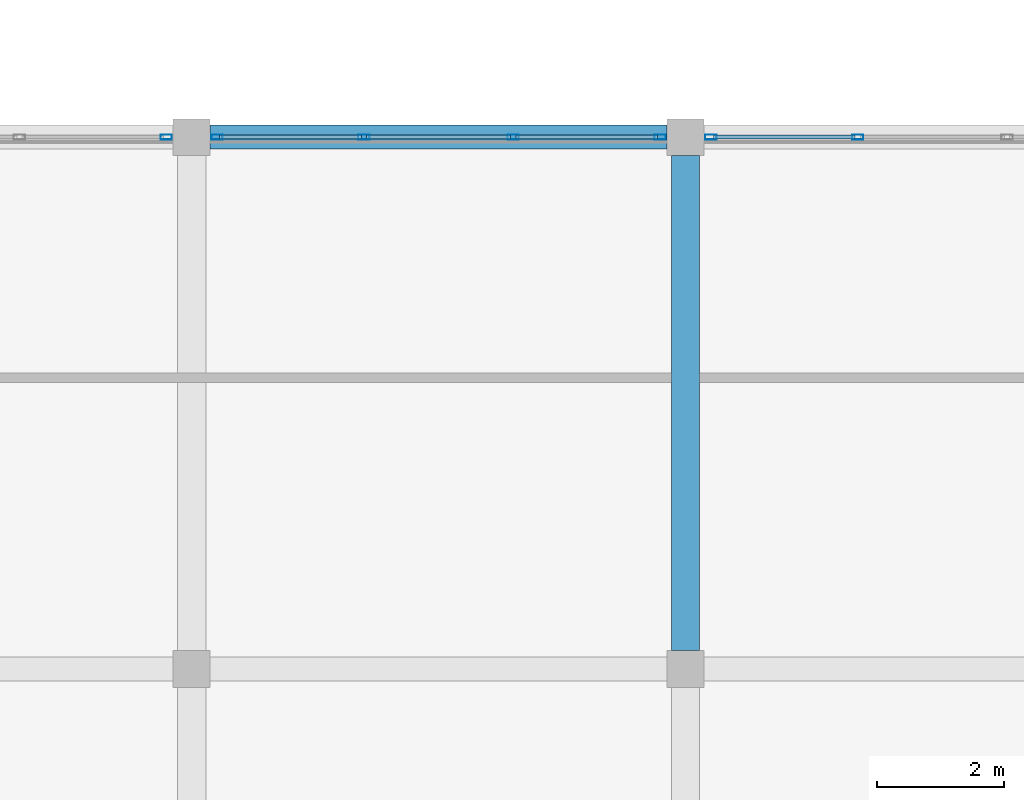
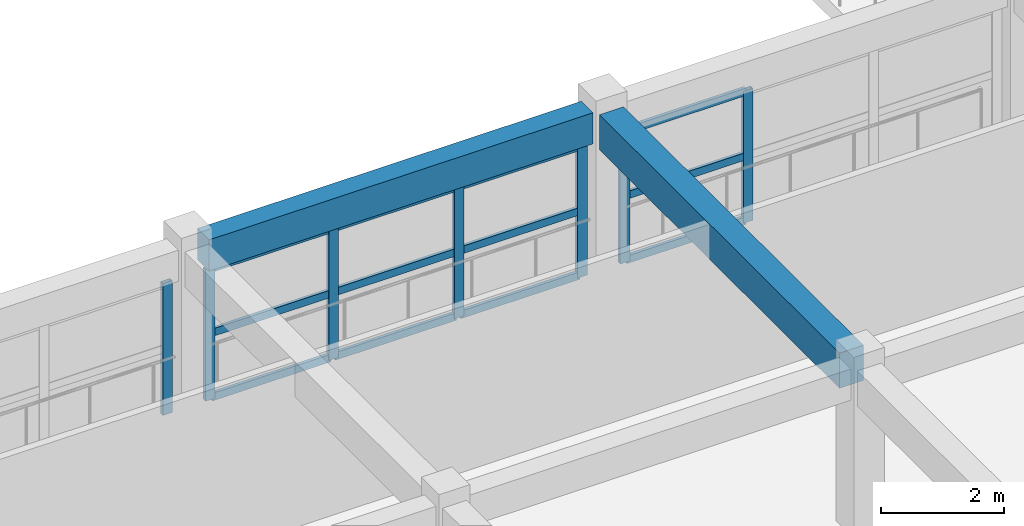
# One storey, part 61 of 101: 19 members, 2 beams, 3 elements without a shape of their own.
"""IFC4 building model written with IfcOpenShell, lengths in metres."""

from ifc_helpers import new_model, si_unit, direction, frame, origin, origin_2d, place, context, subcontext, project, spatial, rectangle, hollow_rectangle, extrude, material, layer, layer_set, material_profile, profile_set, type_object, element, aggregate, save


model = new_model("IFC4")

# Units and contexts
model_context = context("Model", 3, precision=1e-05, world=origin(), true_north=direction((0.0, 1.0)))
body_context = subcontext(model_context, "Body", "Model", "MODEL_VIEW")
ifc_project = project(units=[si_unit("LENGTHUNIT", "METRE"), si_unit("AREAUNIT", "SQUARE_METRE"), si_unit("VOLUMEUNIT", "CUBIC_METRE"), si_unit("PLANEANGLEUNIT", "RADIAN"), si_unit("MASSUNIT", "GRAM", prefix="KILO")], contexts=[model_context])

# Site, building, storey
site_placement = place(None, origin())
site = spatial("IfcSite", under=ifc_project, at=site_placement, CompositionType="ELEMENT")
building_placement = place(site_placement, origin())
building = spatial("IfcBuilding", under=site, at=building_placement, Name="Zizhar Promenade General Hospital", CompositionType="ELEMENT")
storey_placement = place(building_placement, frame((0.0, 0.0, 14.39990234375)))
storey = spatial("IfcBuildingStorey", under=building, at=storey_placement, Name="L03", CompositionType="ELEMENT", Elevation=14.39990234375)

# Beams
ifc_material_1 = material(Name="Concrete C35/45", Category="concrete")
ifc_material_profile_1 = material_profile(ifc_material_1, rectangle(XDim=0.3798828125, YDim=0.6201171875, at=origin_2d()))
ifc_profile_set_1 = profile_set([ifc_material_profile_1], Name="Concrete C35/45")
beam_type_1 = type_object("IfcBeamType", Name="BM-RC-380x620", PredefinedType="JOIST", material=ifc_profile_set_1)
beam_1_placement = place(storey_placement, frame((156.2900390625, 67.199951171875, 3.0), z_axis=(1.0, 0.0, 0.0), x_axis=(0.0, 1.0, 0.0)))
element("IfcBeam", 1, at=beam_1_placement, inside=storey, type_object=beam_type_1, Name="Grid Beam X L03 (20-8)", PredefinedType="JOIST", context=body_context, shape_type="SweptSolid", body=[
    extrude(rectangle(XDim=0.3798828125, YDim=0.6201171875, at=origin_2d()), origin(), (0.0, 0.0, 1.0), 7.219970703125),
])
ifc_material_2 = material(Name="Concrete C35/45", Category="concrete")
ifc_material_profile_2 = material_profile(ifc_material_2, rectangle(XDim=0.449951171875, YDim=0.699951171875, at=origin_2d()))
ifc_profile_set_2 = profile_set([ifc_material_profile_2], Name="Concrete C35/45")
beam_type_2 = type_object("IfcBeamType", Name="BM-RC-450x700", PredefinedType="BEAM", material=ifc_profile_set_2)
beam_2_placement = place(storey_placement, frame((163.800048828125, 59.090087890625, 2.960205078125), z_axis=(0.0, 1.0, 0.0), x_axis=(-1.0, 0.0, 0.0)))
element("IfcBeam", 2, at=beam_2_placement, inside=storey, type_object=beam_type_2, Name="Grid Beam Y L03 (21-7)", PredefinedType="BEAM", context=body_context, shape_type="SweptSolid", body=[
    extrude(rectangle(XDim=0.449951171875, YDim=0.699951171875, at=origin_2d()), origin(), (0.0, 0.0, 1.0), 7.81982421875),
])

# Curtain wall, member
ifc_material_3 = material(Name="Anodised aluminium 6063-T6 and low-E glass", Category="aluminium")
ifc_layer = layer(ifc_material_3, 0.159912109375)
ifc_layer_set = layer_set([ifc_layer], Name="Anodised aluminium 6063-T6 and low-E glass")
curtain_wall_type = type_object("IfcCurtainWallType", Name="CW-CLN-CRT", PredefinedType="NOTDEFINED", material=ifc_layer_set)
curtain_wall_1_placement = place(storey_placement, origin())
curtain_wall_1 = element("IfcCurtainWall", 3, at=curtain_wall_1_placement, inside=storey, type_object=curtain_wall_type, Name="East Light Court South Glazing L03-19", PredefinedType="NOTDEFINED")
ifc_material_4 = material(Name="Anodised aluminium 6063-T6", Category="aluminium")
ifc_material_profile_3 = material_profile(ifc_material_4, hollow_rectangle(XDim=0.080078125, YDim=0.179931640625, WallThickness=0.0048828125, at=origin_2d()))
ifc_profile_set_3 = profile_set([ifc_material_profile_3], Name="Anodised aluminium 6063-T6")
member_type_1 = type_object("IfcMemberType", Name="CWM-ALU-180x80", PredefinedType="MULLION", material=ifc_profile_set_3)
member_1_placement = place(storey_placement, frame((155.60009765625, 67.199951171875, 0.0), z_axis=(0.0, 0.0, 1.0), x_axis=(0.0, 1.0, 0.0)))
member_1 = element("IfcMember", 4, at=member_1_placement, type_object=member_type_1, Name="CW-10 mullion 4", PredefinedType="MULLION", context=body_context, shape_type="SweptSolid", body=[
    extrude(hollow_rectangle(XDim=0.080078125, YDim=0.179931640625, WallThickness=0.0048828125, at=origin_2d()), origin(), (0.0, 0.0, 1.0), 2.6201171875),
])
aggregate(curtain_wall_1, [member_1])

# Curtain wall, members
curtain_wall_2_placement = place(storey_placement, origin())
curtain_wall_2 = element("IfcCurtainWall", 5, at=curtain_wall_2_placement, inside=storey, type_object=curtain_wall_type, Name="East Light Court South Glazing L03-20", PredefinedType="NOTDEFINED")
member_2_placement = place(storey_placement, frame((156.39990234375, 67.199951171875, 0.0), z_axis=(0.0, 0.0, 1.0), x_axis=(0.0, 1.0, 0.0)))
member_2 = element("IfcMember", 6, at=member_2_placement, type_object=member_type_1, Name="CW-10 mullion 1", PredefinedType="MULLION", context=body_context, shape_type="SweptSolid", body=[
    extrude(hollow_rectangle(XDim=0.080078125, YDim=0.179931640625, WallThickness=0.0048828125, at=origin_2d()), origin(), (0.0, 0.0, 1.0), 2.6201171875),
])
member_3_placement = place(storey_placement, frame((158.719970703125, 67.199951171875, 0.0), z_axis=(0.0, 0.0, 1.0), x_axis=(0.0, 1.0, 0.0)))
member_3 = element("IfcMember", 7, at=member_3_placement, type_object=member_type_1, Name="CW-10 mullion 2", PredefinedType="MULLION", context=body_context, shape_type="SweptSolid", body=[
    extrude(hollow_rectangle(XDim=0.080078125, YDim=0.179931640625, WallThickness=0.0048828125, at=origin_2d()), origin(), (0.0, 0.0, 1.0), 2.6201171875),
])
member_4_placement = place(storey_placement, frame((161.080078125, 67.199951171875, 0.0), z_axis=(0.0, 0.0, 1.0), x_axis=(0.0, 1.0, 0.0)))
member_4 = element("IfcMember", 8, at=member_4_placement, type_object=member_type_1, Name="CW-10 mullion 3", PredefinedType="MULLION", context=body_context, shape_type="SweptSolid", body=[
    extrude(hollow_rectangle(XDim=0.080078125, YDim=0.179931640625, WallThickness=0.0048828125, at=origin_2d()), origin(), (0.0, 0.0, 1.0), 2.6201171875),
])
member_5_placement = place(storey_placement, frame((163.39990234375, 67.199951171875, 0.0), z_axis=(0.0, 0.0, 1.0), x_axis=(0.0, 1.0, 0.0)))
member_5 = element("IfcMember", 9, at=member_5_placement, type_object=member_type_1, Name="CW-10 mullion 4", PredefinedType="MULLION", context=body_context, shape_type="SweptSolid", body=[
    extrude(hollow_rectangle(XDim=0.080078125, YDim=0.179931640625, WallThickness=0.0048828125, at=origin_2d()), origin(), (0.0, 0.0, 1.0), 2.6201171875),
])

curtain_wall_3_placement = place(storey_placement, origin())
curtain_wall_3 = element("IfcCurtainWall", 10, at=curtain_wall_3_placement, inside=storey, type_object=curtain_wall_type, Name="East Light Court South Glazing L03-21", PredefinedType="NOTDEFINED")
member_6_placement = place(storey_placement, frame((164.199951171875, 67.199951171875, 0.0), z_axis=(0.0, 0.0, 1.0), x_axis=(0.0, 1.0, 0.0)))
member_6 = element("IfcMember", 11, at=member_6_placement, type_object=member_type_1, Name="CW-10 mullion 1", PredefinedType="MULLION", context=body_context, shape_type="SweptSolid", body=[
    extrude(hollow_rectangle(XDim=0.080078125, YDim=0.179931640625, WallThickness=0.0048828125, at=origin_2d()), origin(), (0.0, 0.0, 1.0), 2.6201171875),
])
member_7_placement = place(storey_placement, frame((166.52001953125, 67.199951171875, 0.0), z_axis=(0.0, 0.0, 1.0), x_axis=(0.0, 1.0, 0.0)))
member_7 = element("IfcMember", 12, at=member_7_placement, type_object=member_type_1, Name="CW-10 mullion 2", PredefinedType="MULLION", context=body_context, shape_type="SweptSolid", body=[
    extrude(hollow_rectangle(XDim=0.080078125, YDim=0.179931640625, WallThickness=0.0048828125, at=origin_2d()), origin(), (0.0, 0.0, 1.0), 2.6201171875),
])

# Member
ifc_material_5 = material(Name="Anodised aluminium 6063-T6", Category="aluminium")
ifc_material_profile_4 = material_profile(ifc_material_5, hollow_rectangle(XDim=0.06005859375, YDim=0.14990234375, WallThickness=0.00390625, at=origin_2d()))
ifc_profile_set_4 = profile_set([ifc_material_profile_4], Name="Anodised aluminium 6063-T6")
member_type_2 = type_object("IfcMemberType", Name="CWT-ALU-150x60", PredefinedType="USERDEFINED", material=ifc_profile_set_4)
member_8_placement = place(storey_placement, frame((156.43994140625, 67.199951171875, 0.030029296875), z_axis=(1.0, 0.0, 0.0), x_axis=(0.0, 1.0, 0.0)))
member_8 = element("IfcMember", 13, at=member_8_placement, type_object=member_type_2, Name="CW-10 transom 1.1", ObjectType="TRANSOM", PredefinedType="USERDEFINED", context=body_context, shape_type="SweptSolid", body=[
    extrude(hollow_rectangle(XDim=0.06005859375, YDim=0.14990234375, WallThickness=0.00390625, at=origin_2d()), origin(), (0.0, 0.0, 1.0), 2.239990234375),
])

member_9_placement = place(storey_placement, frame((156.43994140625, 67.199951171875, 1.31005859375), z_axis=(1.0, 0.0, 0.0), x_axis=(0.0, 1.0, 0.0)))
member_9 = element("IfcMember", 14, at=member_9_placement, type_object=member_type_2, Name="CW-10 transom 1.2", ObjectType="TRANSOM", PredefinedType="USERDEFINED", context=body_context, shape_type="SweptSolid", body=[
    extrude(hollow_rectangle(XDim=0.06005859375, YDim=0.14990234375, WallThickness=0.00390625, at=origin_2d()), origin(), (0.0, 0.0, 1.0), 2.239990234375),
])

member_10_placement = place(storey_placement, frame((156.43994140625, 67.199951171875, 2.590087890625), z_axis=(1.0, 0.0, 0.0), x_axis=(0.0, 1.0, 0.0)))
member_10 = element("IfcMember", 15, at=member_10_placement, type_object=member_type_2, Name="CW-10 transom 1.3", ObjectType="TRANSOM", PredefinedType="USERDEFINED", context=body_context, shape_type="SweptSolid", body=[
    extrude(hollow_rectangle(XDim=0.06005859375, YDim=0.14990234375, WallThickness=0.00390625, at=origin_2d()), origin(), (0.0, 0.0, 1.0), 2.239990234375),
])

member_11_placement = place(storey_placement, frame((158.760009765625, 67.199951171875, 0.030029296875), z_axis=(1.0, 0.0, 0.0), x_axis=(0.0, 1.0, 0.0)))
member_11 = element("IfcMember", 16, at=member_11_placement, type_object=member_type_2, Name="CW-10 transom 2.1", ObjectType="TRANSOM", PredefinedType="USERDEFINED", context=body_context, shape_type="SweptSolid", body=[
    extrude(hollow_rectangle(XDim=0.06005859375, YDim=0.14990234375, WallThickness=0.00390625, at=origin_2d()), origin(), (0.0, 0.0, 1.0), 2.280029296875),
])

member_12_placement = place(storey_placement, frame((158.760009765625, 67.199951171875, 1.31005859375), z_axis=(1.0, 0.0, 0.0), x_axis=(0.0, 1.0, 0.0)))
member_12 = element("IfcMember", 17, at=member_12_placement, type_object=member_type_2, Name="CW-10 transom 2.2", ObjectType="TRANSOM", PredefinedType="USERDEFINED", context=body_context, shape_type="SweptSolid", body=[
    extrude(hollow_rectangle(XDim=0.06005859375, YDim=0.14990234375, WallThickness=0.00390625, at=origin_2d()), origin(), (0.0, 0.0, 1.0), 2.280029296875),
])

member_13_placement = place(storey_placement, frame((158.760009765625, 67.199951171875, 2.590087890625), z_axis=(1.0, 0.0, 0.0), x_axis=(0.0, 1.0, 0.0)))
member_13 = element("IfcMember", 18, at=member_13_placement, type_object=member_type_2, Name="CW-10 transom 2.3", ObjectType="TRANSOM", PredefinedType="USERDEFINED", context=body_context, shape_type="SweptSolid", body=[
    extrude(hollow_rectangle(XDim=0.06005859375, YDim=0.14990234375, WallThickness=0.00390625, at=origin_2d()), origin(), (0.0, 0.0, 1.0), 2.280029296875),
])

member_14_placement = place(storey_placement, frame((161.1201171875, 67.199951171875, 0.030029296875), z_axis=(1.0, 0.0, 0.0), x_axis=(0.0, 1.0, 0.0)))
member_14 = element("IfcMember", 19, at=member_14_placement, type_object=member_type_2, Name="CW-10 transom 3.1", ObjectType="TRANSOM", PredefinedType="USERDEFINED", context=body_context, shape_type="SweptSolid", body=[
    extrude(hollow_rectangle(XDim=0.06005859375, YDim=0.14990234375, WallThickness=0.00390625, at=origin_2d()), origin(), (0.0, 0.0, 1.0), 2.239990234375),
])

member_15_placement = place(storey_placement, frame((161.1201171875, 67.199951171875, 1.31005859375), z_axis=(1.0, 0.0, 0.0), x_axis=(0.0, 1.0, 0.0)))
member_15 = element("IfcMember", 20, at=member_15_placement, type_object=member_type_2, Name="CW-10 transom 3.2", ObjectType="TRANSOM", PredefinedType="USERDEFINED", context=body_context, shape_type="SweptSolid", body=[
    extrude(hollow_rectangle(XDim=0.06005859375, YDim=0.14990234375, WallThickness=0.00390625, at=origin_2d()), origin(), (0.0, 0.0, 1.0), 2.239990234375),
])

member_16_placement = place(storey_placement, frame((161.1201171875, 67.199951171875, 2.590087890625), z_axis=(1.0, 0.0, 0.0), x_axis=(0.0, 1.0, 0.0)))
member_16 = element("IfcMember", 21, at=member_16_placement, type_object=member_type_2, Name="CW-10 transom 3.3", ObjectType="TRANSOM", PredefinedType="USERDEFINED", context=body_context, shape_type="SweptSolid", body=[
    extrude(hollow_rectangle(XDim=0.06005859375, YDim=0.14990234375, WallThickness=0.00390625, at=origin_2d()), origin(), (0.0, 0.0, 1.0), 2.239990234375),
])

aggregate(curtain_wall_2, [member_2, member_3, member_4, member_5, member_8, member_9, member_10, member_11, member_12, member_13, member_14, member_15, member_16])

member_17_placement = place(storey_placement, frame((164.239990234375, 67.199951171875, 0.030029296875), z_axis=(1.0, 0.0, 0.0), x_axis=(0.0, 1.0, 0.0)))
member_17 = element("IfcMember", 22, at=member_17_placement, type_object=member_type_2, Name="CW-10 transom 1.1", ObjectType="TRANSOM", PredefinedType="USERDEFINED", context=body_context, shape_type="SweptSolid", body=[
    extrude(hollow_rectangle(XDim=0.06005859375, YDim=0.14990234375, WallThickness=0.00390625, at=origin_2d()), origin(), (0.0, 0.0, 1.0), 2.239990234375),
])

member_18_placement = place(storey_placement, frame((164.239990234375, 67.199951171875, 1.31005859375), z_axis=(1.0, 0.0, 0.0), x_axis=(0.0, 1.0, 0.0)))
member_18 = element("IfcMember", 23, at=member_18_placement, type_object=member_type_2, Name="CW-10 transom 1.2", ObjectType="TRANSOM", PredefinedType="USERDEFINED", context=body_context, shape_type="SweptSolid", body=[
    extrude(hollow_rectangle(XDim=0.06005859375, YDim=0.14990234375, WallThickness=0.00390625, at=origin_2d()), origin(), (0.0, 0.0, 1.0), 2.239990234375),
])

member_19_placement = place(storey_placement, frame((164.239990234375, 67.199951171875, 2.590087890625), z_axis=(1.0, 0.0, 0.0), x_axis=(0.0, 1.0, 0.0)))
member_19 = element("IfcMember", 24, at=member_19_placement, type_object=member_type_2, Name="CW-10 transom 1.3", ObjectType="TRANSOM", PredefinedType="USERDEFINED", context=body_context, shape_type="SweptSolid", body=[
    extrude(hollow_rectangle(XDim=0.06005859375, YDim=0.14990234375, WallThickness=0.00390625, at=origin_2d()), origin(), (0.0, 0.0, 1.0), 2.239990234375),
])

aggregate(curtain_wall_3, [member_6, member_7, member_17, member_18, member_19])

save(model, "model.ifc")
